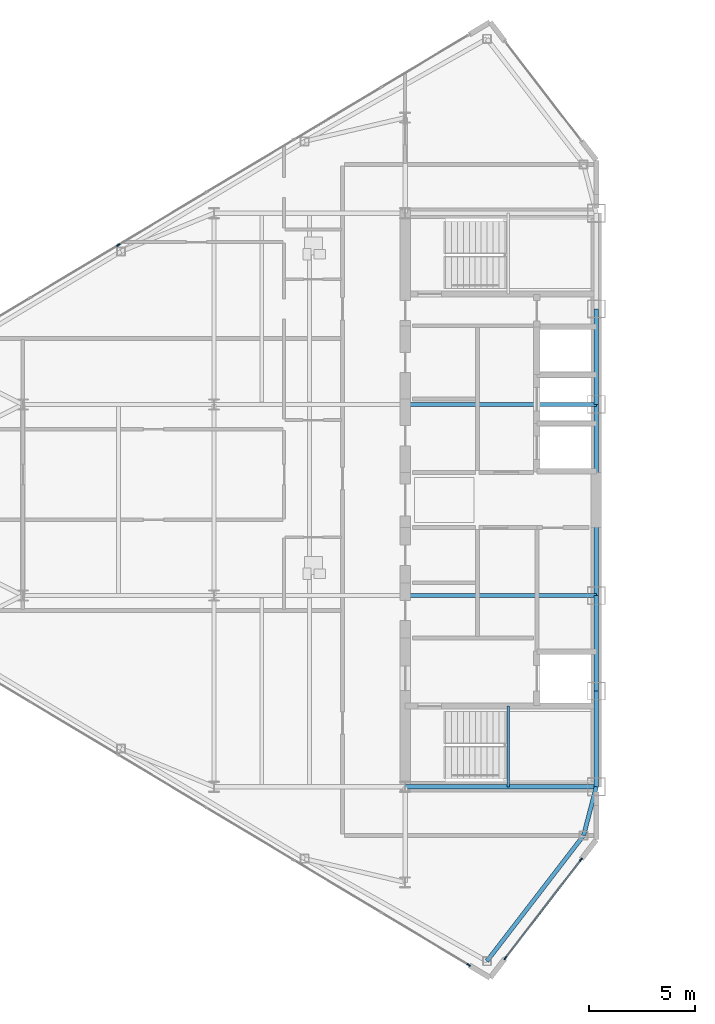
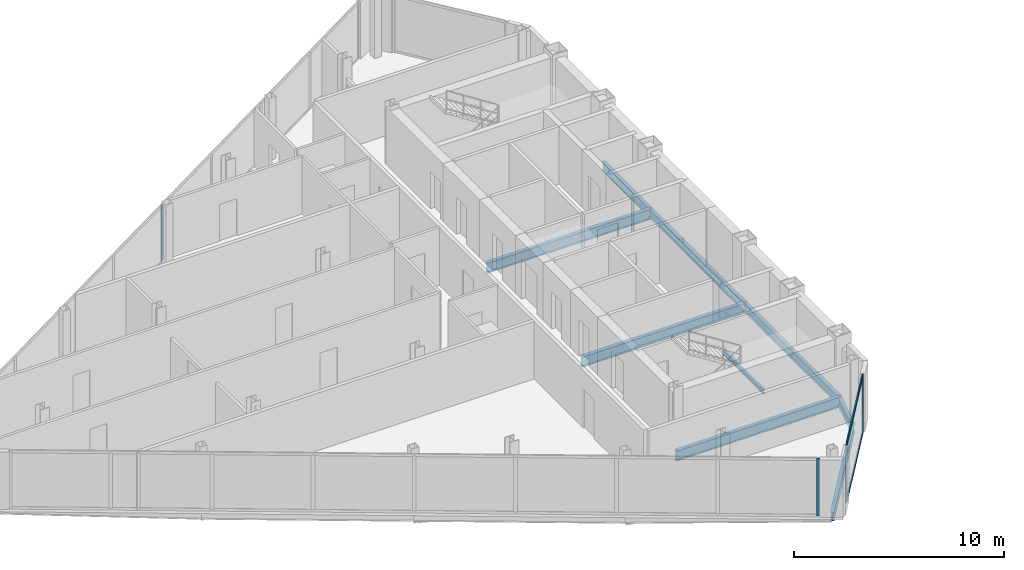
# One storey, part 8 of 26: 10 beams, 6 members, 3 elements without a shape of their own.
"""IFC4 building model written with IfcOpenShell, lengths in metres."""

import ifcopenshell
import ifcopenshell.guid

model = None  # the IFC model being written
_history = None  # IfcOwnerHistory: only IFC2X3 demands one
_inside = {}  # id of a spatial element -> (the spatial element, [elements in it])
_under = {}  # id of a project, library or spatial element -> (it, [spatial elements below it])
_declared = {}  # id of a project -> (the project, [libraries it declares])
_typed = {}  # id of a type object -> (the type object, [elements of that type])
_made_of = {}  # id of a material, layer set ... -> (it, [elements and type objects made of it])


def new_model(schema):
    """Start an empty IFC model of exactly this schema.

    Asked for "IFC4X3", IfcOpenShell would pick the latest addendum, in which some entities
    have other attributes; the version numbers below select the first issue.
    IFC2X3 requires an IfcOwnerHistory on every rooted entity: one is made here for all.
    """
    global model, _history
    if schema == "IFC4X3":
        model = ifcopenshell.file(schema_version=(4, 3, 0, 0))
    else:
        model = ifcopenshell.file(schema=schema)
    _inside.clear()
    _under.clear()
    _declared.clear()
    _typed.clear()
    _made_of.clear()
    _history = None
    if model.schema == "IFC2X3":
        org = make("IfcOrganization", Name="unknown")
        user = make(
            "IfcPersonAndOrganization",
            ThePerson=make("IfcPerson", FamilyName="unknown"),
            TheOrganization=org,
        )
        app = make(
            "IfcApplication",
            ApplicationDeveloper=org,
            Version="unknown",
            ApplicationFullName="unknown",
            ApplicationIdentifier="unknown",
        )
        _history = make(
            "IfcOwnerHistory",
            OwningUser=user,
            OwningApplication=app,
            ChangeAction="ADDED",
            CreationDate=0,
        )
    return model


def make(cls, **values):
    """One entity of the class cls with the attributes given. An attribute that is None is left unset."""
    return model.create_entity(
        cls, **{name: value for name, value in values.items() if value is not None}
    )


def rooted(cls, **values):
    """An entity with a GlobalId (a new one), such as an element, a storey or a relation."""
    return make(cls, GlobalId=ifcopenshell.guid.new(), OwnerHistory=_history, **values)


def si_unit(unit_type, name, prefix=None):
    """IfcSIUnit, for example si_unit("LENGTHUNIT", "METRE", prefix="MILLI")."""
    return make("IfcSIUnit", UnitType=unit_type, Prefix=prefix, Name=name)


def assignment(units):
    """IfcUnitAssignment: the units of a project."""
    return None if units is None else make("IfcUnitAssignment", Units=units)


def point(xyz):
    """IfcCartesianPoint."""
    return None if xyz is None else make("IfcCartesianPoint", Coordinates=xyz)


def direction(xyz):
    """IfcDirection."""
    return None if xyz is None else make("IfcDirection", DirectionRatios=xyz)


def frame(location, z_axis=None, x_axis=None):
    """IfcAxis2Placement3D, a coordinate frame: its origin and axes. An axis left out is left unset."""
    return make(
        "IfcAxis2Placement3D",
        Location=point(location),
        Axis=direction(z_axis),
        RefDirection=direction(x_axis),
    )


def frame_2d(location, x_axis=None):
    """IfcAxis2Placement2D, a coordinate frame in the plane: its origin and x axis."""
    return make(
        "IfcAxis2Placement2D", Location=point(location), RefDirection=direction(x_axis)
    )


def origin():
    """The frame at (0, 0, 0) with its axes left unset."""
    return frame((0.0, 0.0, 0.0))


def origin_2d():
    """The frame at (0, 0) in the plane with its x axis left unset."""
    return frame_2d((0.0, 0.0))


def place(relative_to, where):
    """IfcLocalPlacement: puts the frame where relative to a parent placement (None: the world)."""
    return make(
        "IfcLocalPlacement", PlacementRelTo=relative_to, RelativePlacement=where
    )


def context(
    kind, dimensions, precision=None, world=None, true_north=None, identifier=None
):
    """IfcGeometricRepresentationContext, for example the 3D "Model" context."""
    return make(
        "IfcGeometricRepresentationContext",
        ContextIdentifier=identifier,
        ContextType=kind,
        CoordinateSpaceDimension=dimensions,
        Precision=precision,
        WorldCoordinateSystem=world,
        TrueNorth=true_north,
    )


def subcontext(parent, identifier, kind, view, scale=None):
    """IfcGeometricRepresentationSubContext, for example "Body" below "Model"."""
    return make(
        "IfcGeometricRepresentationSubContext",
        ContextIdentifier=identifier,
        ContextType=kind,
        ParentContext=parent,
        TargetScale=scale,
        TargetView=view,
    )


def project(units=None, contexts=None):
    """IfcProject with its units and contexts."""
    return rooted(
        "IfcProject",
        Name="project",
        RepresentationContexts=contexts,
        UnitsInContext=assignment(units),
    )


def spatial(cls, under=None, at=None, **own):
    """A site, building, storey or space (cls), placed at a placement, below another one or the project."""
    s = rooted(cls, ObjectPlacement=at, **own)
    if under is not None:
        _under.setdefault(under.id(), (under, []))[1].append(s)
    return s


def profile(cls, at=None, kind="AREA", **sizes):
    """A parametric profile (cls). Its sizes go by their IFC names, for example OverallWidth=200.0."""
    return make(cls, ProfileType=kind, Position=at, **sizes)


def rectangle(**sizes):
    """IfcRectangleProfileDef."""
    return profile("IfcRectangleProfileDef", **sizes)


def i_section(**sizes):
    """IfcIShapeProfileDef."""
    return profile("IfcIShapeProfileDef", **sizes)


def extrude(swept, where, along, depth):
    """IfcExtrudedAreaSolid: the profile swept, set in the frame where, extruded along a direction by depth."""
    return make(
        "IfcExtrudedAreaSolid",
        SweptArea=swept,
        Position=where,
        ExtrudedDirection=direction(along),
        Depth=depth,
    )


def shape(context_of_items, identifier, shape_type, items):
    """IfcShapeRepresentation: the items that make up one representation, for example the "Body"."""
    return make(
        "IfcShapeRepresentation",
        ContextOfItems=context_of_items,
        RepresentationIdentifier=identifier,
        RepresentationType=shape_type,
        Items=items,
    )


def source(mapping_origin, context_of_items, identifier, shape_type, items):
    """IfcRepresentationMap: a shape defined once, which mapped items show again and again."""
    return make(
        "IfcRepresentationMap",
        MappingOrigin=mapping_origin,
        MappedRepresentation=shape(context_of_items, identifier, shape_type, items),
    )


def transform(
    local_origin,
    x_axis=None,
    y_axis=None,
    z_axis=None,
    scale=None,
    scale2=None,
    scale3=None,
    uniform=True,
):
    """IfcCartesianTransformationOperator3D, or its non-uniform kind. x_axis, y_axis, z_axis: its Axis1, 2, 3."""
    if uniform:
        return make(
            "IfcCartesianTransformationOperator3D",
            Axis1=direction(x_axis),
            Axis2=direction(y_axis),
            LocalOrigin=point(local_origin),
            Scale=scale,
            Axis3=direction(z_axis),
        )
    return make(
        "IfcCartesianTransformationOperator3DnonUniform",
        Axis1=direction(x_axis),
        Axis2=direction(y_axis),
        LocalOrigin=point(local_origin),
        Scale=scale,
        Axis3=direction(z_axis),
        Scale2=scale2,
        Scale3=scale3,
    )


def mapped(mapping_source, mapping_target):
    """IfcMappedItem: shows the shape of a source again, moved by a transform."""
    return make(
        "IfcMappedItem", MappingSource=mapping_source, MappingTarget=mapping_target
    )


def material(Name=None, Category=None):
    """IfcMaterial."""
    return make("IfcMaterial", Name=Name, Category=Category)


def layer(
    of_material, thickness, ventilated=None, Name=None, Category=None, Priority=None
):
    """IfcMaterialLayer: one layer of a wall or slab, of a material (None: an air gap)."""
    return make(
        "IfcMaterialLayer",
        Material=of_material,
        LayerThickness=thickness,
        IsVentilated=ventilated,
        Name=Name,
        Category=Category,
        Priority=Priority,
    )


def layer_set(layers, Name=None):
    """IfcMaterialLayerSet."""
    return make("IfcMaterialLayerSet", MaterialLayers=layers, LayerSetName=Name)


def material_profile(
    of_material, cross_section, Name=None, Category=None, Priority=None
):
    """IfcMaterialProfile: a cross section and its material."""
    return make(
        "IfcMaterialProfile",
        Name=Name,
        Material=of_material,
        Profile=cross_section,
        Priority=Priority,
        Category=Category,
    )


def profile_set(profiles, Name=None, composite=None):
    """IfcMaterialProfileSet."""
    return make(
        "IfcMaterialProfileSet",
        Name=Name,
        MaterialProfiles=profiles,
        CompositeProfile=composite,
    )


def made_of(thing, what):
    """Note that an element or type object is made of a material, layer set ...; save() writes the relation."""
    if what is not None:
        _made_of.setdefault(what.id(), (what, []))[1].append(thing)
    return thing


def type_object(cls, material=None, **own):
    """A type object (cls), such as IfcWallType, which elements share."""
    return made_of(rooted(cls, **own), material)


def type_shapes(of_type, sources):
    """Give a type object the sources (RepresentationMaps) that its elements show as mapped items."""
    of_type.RepresentationMaps = sources


def element(
    cls,
    number,
    at=None,
    inside=None,
    cuts=None,
    type_object=None,
    material=None,
    context=None,
    identifier="Body",
    shape_type=None,
    held_by="IfcProductDefinitionShape",
    body=None,
    shapes=None,
    **own,
):
    """One element of the class cls, such as IfcWall. Its Tag is "e" and its number.

    at: its placement. inside: the storey or other place that contains it. cuts: it is an
    opening in that element (IfcRelVoidsElement). A single representation is given by context,
    identifier, shape_type and body (its items); several are given by shapes. held_by: the class
    of the entity that holds the representations. save() writes the other relations.
    """
    e = rooted(cls, Tag="e%d" % number, ObjectPlacement=at, **own)
    if body is not None:
        shapes = [shape(context, identifier, shape_type, body)]
    if shapes is not None:
        e.Representation = make(held_by, Representations=shapes)
    if inside is not None:
        _inside.setdefault(inside.id(), (inside, []))[1].append(e)
    if cuts is not None:
        rooted(
            "IfcRelVoidsElement", RelatingBuildingElement=cuts, RelatedOpeningElement=e
        )
    if type_object is not None:
        _typed.setdefault(type_object.id(), (type_object, []))[1].append(e)
    return made_of(e, material)


def aggregate(whole, parts):
    """IfcRelAggregates: a whole, such as a stair, and the parts it consists of."""
    return rooted("IfcRelAggregates", RelatingObject=whole, RelatedObjects=parts)


def save(model, path):
    """Write the relations noted so far, then the file.

    IfcRelAggregates (storeys below a building ...), IfcRelContainedInSpatialStructure (elements
    in a storey), IfcRelDefinesByType, IfcRelAssociatesMaterial and IfcRelDeclares: one each for
    every whole, place, type object, material and project.
    """
    for whole, parts in _under.values():
        aggregate(whole, parts)
    for where, things in _inside.values():
        rooted(
            "IfcRelContainedInSpatialStructure",
            RelatedElements=things,
            RelatingStructure=where,
        )
    for kind, things in _typed.values():
        rooted("IfcRelDefinesByType", RelatedObjects=things, RelatingType=kind)
    for what, things in _made_of.values():
        rooted("IfcRelAssociatesMaterial", RelatedObjects=things, RelatingMaterial=what)
    for by, libraries in _declared.values():
        rooted("IfcRelDeclares", RelatingContext=by, RelatedDefinitions=libraries)
    model.write(path)


model = new_model("IFC4")

# Units and contexts
model_context = context("Model", 3, precision=1e-05, world=origin(), true_north=direction((0.0, 1.0)))
body_context = subcontext(model_context, "Body", "Model", "MODEL_VIEW")
ifc_project = project(units=[si_unit("LENGTHUNIT", "METRE"), si_unit("AREAUNIT", "SQUARE_METRE"), si_unit("VOLUMEUNIT", "CUBIC_METRE"), si_unit("PLANEANGLEUNIT", "RADIAN"), si_unit("MASSUNIT", "GRAM", prefix="KILO")], contexts=[model_context])

# Site, building, storey
site_placement = place(None, origin())
site = spatial("IfcSite", under=ifc_project, at=site_placement, CompositionType="ELEMENT")
building_placement = place(site_placement, origin())
building = spatial("IfcBuilding", under=site, at=building_placement, Name="Seokmaru Belvedere", CompositionType="ELEMENT")
storey_placement = place(building_placement, frame((0.0, 0.0, 221.10009765625)))
storey = spatial("IfcBuildingStorey", under=building, at=storey_placement, Name="L59", CompositionType="ELEMENT", Elevation=221.10009765625)

# Beams
ifc_material_1 = material(Name="Steel SM355 (355 MPa)", Category="steel")
ifc_material_profile_1 = material_profile(ifc_material_1, i_section(OverallWidth=0.199951171875, OverallDepth=0.5, WebThickness=0.010009765625, FlangeThickness=0.01611328125, at=origin_2d()), Name="H-500x200x10x16")
ifc_profile_set_1 = profile_set([ifc_material_profile_1], Name="Steel SM355 (355 MPa)")
beam_type_1 = type_object("IfcBeamType", Name="Perimeter Spandrel Beam H-500", PredefinedType="SPANDREL", material=ifc_profile_set_1)
shared_shape_1 = source(origin(), body_context, "Body", "SweptSolid", [
    extrude(i_section(OverallWidth=0.199951171875, OverallDepth=0.5, WebThickness=0.010009765625, FlangeThickness=0.01611328125, at=origin_2d()), origin(), (0.0, 0.0, 1.0), 4.5),
])
for number, where, z_axis, x_axis, name in (
    (1, (-27.5, -13.5, -0.47021484375), (0.0, 1.0, 0.0), (-1.0, 0.0, 0.0), "L59 W Portal Spine Spandrel 1"),
    (2, (-27.5, -9.0, -0.47021484375), (0.0, 1.0, 0.0), (-1.0, 0.0, 0.0), "L59 W Portal Spine Spandrel 2"),
    (3, (-27.5, 4.5, -0.47021484375), (0.0, 1.0, 0.0), (-1.0, 0.0, 0.0), "L59 W Portal Spine Spandrel 4"),
):
    element("IfcBeam", number, at=place(storey_placement, frame(where, z_axis=z_axis, x_axis=x_axis)), inside=storey, type_object=beam_type_1, Name=name, PredefinedType="SPANDREL", context=body_context, shape_type="MappedRepresentation", body=[
        mapped(shared_shape_1, transform((0.0, 0.0, 0.0), scale=1.0)),
    ])
shared_shape_2 = source(origin(), body_context, "Body", "SweptSolid", [
    extrude(i_section(OverallWidth=0.199951171875, OverallDepth=0.5, WebThickness=0.010009765625, FlangeThickness=0.01611328125, at=origin_2d()), origin(), (0.0, 0.0, 1.0), 9.0),
])
beam_1_placement = place(storey_placement, frame((-27.5, -4.5, -0.47021484375), z_axis=(0.0, 1.0, 0.0), x_axis=(-1.0, 0.0, 0.0)))
element("IfcBeam", 4, at=beam_1_placement, inside=storey, type_object=beam_type_1, Name="L59 W Portal Spine Spandrel 3", PredefinedType="SPANDREL", context=body_context, shape_type="MappedRepresentation", body=[
    mapped(shared_shape_2, transform((0.0, 0.0, 0.0), scale=1.0)),
])
ifc_material_profile_2 = material_profile(ifc_material_1, i_section(OverallWidth=0.199951171875, OverallDepth=0.60009765625, WebThickness=0.010986328125, FlangeThickness=0.01708984375, at=origin_2d()), Name="H-600x200x11x17")
ifc_profile_set_2 = profile_set([ifc_material_profile_2], Name="Steel SM355 (355 MPa)")
beam_type_2 = type_object("IfcBeamType", Name="Primary Floor Girder H-600", PredefinedType="BEAM", material=ifc_profile_set_2)
shared_shape_3 = source(origin(), body_context, "Body", "SweptSolid", [
    extrude(i_section(OverallWidth=0.199951171875, OverallDepth=0.60009765625, WebThickness=0.010986328125, FlangeThickness=0.01708984375, at=origin_2d()), origin(), (0.0, 0.0, 1.0), 9.0),
])
type_shapes(beam_type_2, [shared_shape_3])
for number, where, z_axis, x_axis, name in (
    (5, (-36.5, -13.5, -0.52001953125), (1.0, 0.0, 0.0), (0.0, 1.0, 0.0), "L59 W Core Tie Girder 1"),
    (6, (-36.5, -4.5, -0.52001953125), (1.0, 0.0, 0.0), (0.0, 1.0, 0.0), "L59 W Core Tie Girder 2"),
    (7, (-36.5, 4.5, -0.52001953125), (1.0, 0.0, 0.0), (0.0, 1.0, 0.0), "L59 W Core Tie Girder 3"),
):
    element("IfcBeam", number, at=place(storey_placement, frame(where, z_axis=z_axis, x_axis=x_axis)), inside=storey, type_object=beam_type_2, Name=name, PredefinedType="BEAM", context=body_context, shape_type="MappedRepresentation", body=[
        mapped(shared_shape_3, transform((0.0, 0.0, 0.0), scale=1.0)),
    ])
shared_shape_4 = source(origin(), body_context, "Body", "SweptSolid", [
    extrude(i_section(OverallWidth=0.199951171875, OverallDepth=0.5, WebThickness=0.010009765625, FlangeThickness=0.01611328125, at=origin_2d()), origin(), (0.0, 0.0, 1.0), 7.4619140625),
])
beam_2_placement = place(storey_placement, frame((-32.649658203125, -21.71044921875, -0.47021484375), z_axis=(0.609702854945, 0.792630070507, 0.0), x_axis=(-0.792630070507, 0.609702854945, 0.0)))
element("IfcBeam", 8, at=beam_2_placement, inside=storey, type_object=beam_type_1, Name="L59 W Shoulder Chamfer Spandrel S", PredefinedType="SPANDREL", context=body_context, shape_type="MappedRepresentation", body=[
    mapped(shared_shape_4, transform((0.0, 0.0, 0.0), scale=1.0)),
])
shared_shape_5 = source(origin(), body_context, "Body", "SweptSolid", [
    extrude(i_section(OverallWidth=0.199951171875, OverallDepth=0.5, WebThickness=0.010009765625, FlangeThickness=0.01611328125, at=origin_2d()), origin(), (0.0, 0.0, 1.0), 2.373046875),
])
type_shapes(beam_type_1, [shared_shape_1, shared_shape_2, shared_shape_4, shared_shape_5])
beam_3_placement = place(storey_placement, frame((-28.10009765625, -15.7958984375, -0.47021484375), z_axis=(0.252882558842, 0.967496982648, 0.0), x_axis=(-0.967496982648, 0.252882558842, 0.0)))
element("IfcBeam", 9, at=beam_3_placement, inside=storey, type_object=beam_type_1, Name="L59 W Shoulder Spine Spandrel S", PredefinedType="SPANDREL", context=body_context, shape_type="MappedRepresentation", body=[
    mapped(shared_shape_5, transform((0.0, 0.0, 0.0), scale=1.0)),
])

# Curtain wall, member
ifc_material_2 = material(Name="Bronze Triple Insulating Glass", Category="glass")
ifc_layer = layer(ifc_material_2, 0.179931640625)
ifc_layer_set = layer_set([ifc_layer], Name="Bronze Triple Insulating Glass")
curtain_wall_type = type_object("IfcCurtainWallType", Name="High-Rise Wind-Corner Curtain Wall System CW-5", PredefinedType="NOTDEFINED", material=ifc_layer_set)
curtain_wall_1_placement = place(storey_placement, origin())
curtain_wall_1 = element("IfcCurtainWall", 10, at=curtain_wall_1_placement, inside=storey, type_object=curtain_wall_type, Name="L59 Curtain Wall WF3", PredefinedType="NOTDEFINED")
ifc_material_3 = material(Name="Anodised Bronze Aluminium", Category="aluminium")
ifc_material_profile_3 = material_profile(ifc_material_3, rectangle(XDim=0.06494140625, YDim=0.179931640625, at=origin_2d()), Name="CW-M-65x180")
ifc_profile_set_3 = profile_set([ifc_material_profile_3], Name="Anodised Bronze Aluminium")
member_type_1 = type_object("IfcMemberType", Name="Bronze Unitised Mullion 65x180", PredefinedType="MULLION", material=ifc_profile_set_3)
shared_shape_6 = source(origin(), body_context, "Body", "SweptSolid", [
    extrude(rectangle(XDim=0.06494140625, YDim=0.179931640625, at=origin_2d()), origin(), (0.0, 0.0, 1.0), 3.2099609375),
])
member_1_placement = place(storey_placement, frame((-50.0, 12.0, 0.06494140625), z_axis=(0.0, 0.0, 1.0), x_axis=(0.514494909364, -0.85749343335, 0.0)))
member_1 = element("IfcMember", 11, at=member_1_placement, type_object=member_type_1, Name="CW:L59:WF3 Mullion 5", PredefinedType="MULLION", context=body_context, shape_type="MappedRepresentation", body=[
    mapped(shared_shape_6, transform((0.0, 0.0, 0.0), scale=1.0)),
])
aggregate(curtain_wall_1, [member_1])

# Curtain wall, members
curtain_wall_2_placement = place(storey_placement, origin())
curtain_wall_2 = element("IfcCurtainWall", 12, at=curtain_wall_2_placement, inside=storey, type_object=curtain_wall_type, Name="L59 Curtain Wall WF6", PredefinedType="NOTDEFINED")
ifc_material_profile_4 = material_profile(ifc_material_3, rectangle(XDim=0.06494140625, YDim=0.14990234375, at=origin_2d()), Name="CW-T-65x150")
ifc_profile_set_4 = profile_set([ifc_material_profile_4], Name="Anodised Bronze Aluminium")
member_type_2 = type_object("IfcMemberType", Name="Bronze Unitised Transom 65x150", PredefinedType="USERDEFINED", material=ifc_profile_set_4)
shared_shape_7 = source(origin(), body_context, "Body", "SweptSolid", [
    extrude(rectangle(XDim=0.06494140625, YDim=0.14990234375, at=origin_2d()), origin(), (0.0, 0.0, 1.0), 5.77099609375),
])
type_shapes(member_type_2, [shared_shape_7])
member_2_placement = place(storey_placement, frame((-31.75927734375, -21.537109375, 0.032470703125), z_axis=(0.60970258286, 0.792630279799, 0.0), x_axis=(-0.792630279799, 0.60970258286, 0.0)))
member_2 = element("IfcMember", 13, at=member_2_placement, type_object=member_type_2, Name="CW:L59:WF6 Continuous Transom 1", ObjectType="TRANSOM", PredefinedType="USERDEFINED", context=body_context, shape_type="MappedRepresentation", body=[
    mapped(shared_shape_7, transform((0.0, 0.0, 0.0), scale=1.0)),
])
member_3_placement = place(storey_placement, frame((-31.75927734375, -21.537109375, 3.307373046875), z_axis=(0.60970258286, 0.792630279799, 0.0), x_axis=(-0.792630279799, 0.60970258286, 0.0)))
member_3 = element("IfcMember", 14, at=member_3_placement, type_object=member_type_2, Name="CW:L59:WF6 Continuous Transom 2", ObjectType="TRANSOM", PredefinedType="USERDEFINED", context=body_context, shape_type="MappedRepresentation", body=[
    mapped(shared_shape_7, transform((0.0, 0.0, 0.0), scale=1.0)),
])

# Curtain wall, member
curtain_wall_3_placement = place(storey_placement, origin())
curtain_wall_3 = element("IfcCurtainWall", 15, at=curtain_wall_3_placement, inside=storey, type_object=curtain_wall_type, Name="L59 Curtain Wall WF5", PredefinedType="NOTDEFINED")
shared_shape_8 = source(origin(), body_context, "Body", "SweptSolid", [
    extrude(rectangle(XDim=0.06494140625, YDim=0.179931640625, at=origin_2d()), origin(), (0.0, 0.0, 1.0), 3.33984375),
])
type_shapes(member_type_1, [shared_shape_6, shared_shape_8])
member_4_placement = place(storey_placement, frame((-33.513916015625, -21.8916015625, 0.0), z_axis=(0.0, 0.0, 1.0), x_axis=(0.514494909364, 0.85749343335, 0.0)))
member_4 = element("IfcMember", 16, at=member_4_placement, type_object=member_type_1, Name="CW:L59:WF5 Mullion 9", PredefinedType="MULLION", context=body_context, shape_type="MappedRepresentation", body=[
    mapped(shared_shape_8, transform((0.0, 0.0, 0.0), scale=1.0)),
])
aggregate(curtain_wall_3, [member_4])

# Member
member_5_placement = place(storey_placement, frame((-31.779052734375, -21.562744140625, 0.0), z_axis=(0.0, 0.0, 1.0), x_axis=(-0.792631353244, 0.609701187349, 0.0)))
member_5 = element("IfcMember", 17, at=member_5_placement, type_object=member_type_1, Name="CW:L59:WF6 Mullion 1", PredefinedType="MULLION", context=body_context, shape_type="MappedRepresentation", body=[
    mapped(shared_shape_8, transform((0.0, 0.0, 0.0), scale=1.0)),
])

member_6_placement = place(storey_placement, frame((-28.220947265625, -16.937255859375, 0.0), z_axis=(0.0, 0.0, 1.0), x_axis=(-0.792631353244, 0.609701187349, 0.0)))
member_6 = element("IfcMember", 18, at=member_6_placement, type_object=member_type_1, Name="CW:L59:WF6 Mullion 2", PredefinedType="MULLION", context=body_context, shape_type="MappedRepresentation", body=[
    mapped(shared_shape_8, transform((0.0, 0.0, 0.0), scale=1.0)),
])

aggregate(curtain_wall_2, [member_5, member_6, member_2, member_3])

# Beam
ifc_material_profile_5 = material_profile(ifc_material_1, i_section(OverallWidth=0.125, OverallDepth=0.25, WebThickness=0.006103515625, FlangeThickness=0.009033203125, at=origin_2d()), Name="H-250x125x6x9")
ifc_profile_set_5 = profile_set([ifc_material_profile_5], Name="Steel SM355 (355 MPa)")
beam_type_3 = type_object("IfcBeamType", Name="Stair Mid-Landing Support Beam H-250", PredefinedType="JOIST", material=ifc_profile_set_5)
shared_shape_9 = source(origin(), body_context, "Body", "SweptSolid", [
    extrude(i_section(OverallWidth=0.125, OverallDepth=0.25, WebThickness=0.006103515625, FlangeThickness=0.009033203125, at=origin_2d()), origin(), (0.0, 0.0, 1.0), 3.800048828125),
])
type_shapes(beam_type_3, [shared_shape_9])
beam_4_placement = place(storey_placement, frame((-31.64990234375, -13.5, 1.474853515625), z_axis=(0.0, 1.0, 0.0), x_axis=(-1.0, 0.0, 0.0)))
element("IfcBeam", 19, at=beam_4_placement, inside=storey, type_object=beam_type_3, Name="L59 Stair ST-W1 Mid-Landing Support Beam 1", PredefinedType="JOIST", context=body_context, shape_type="MappedRepresentation", body=[
    mapped(shared_shape_9, transform((0.0, 0.0, 0.0), scale=1.0)),
])

save(model, "model.ifc")
